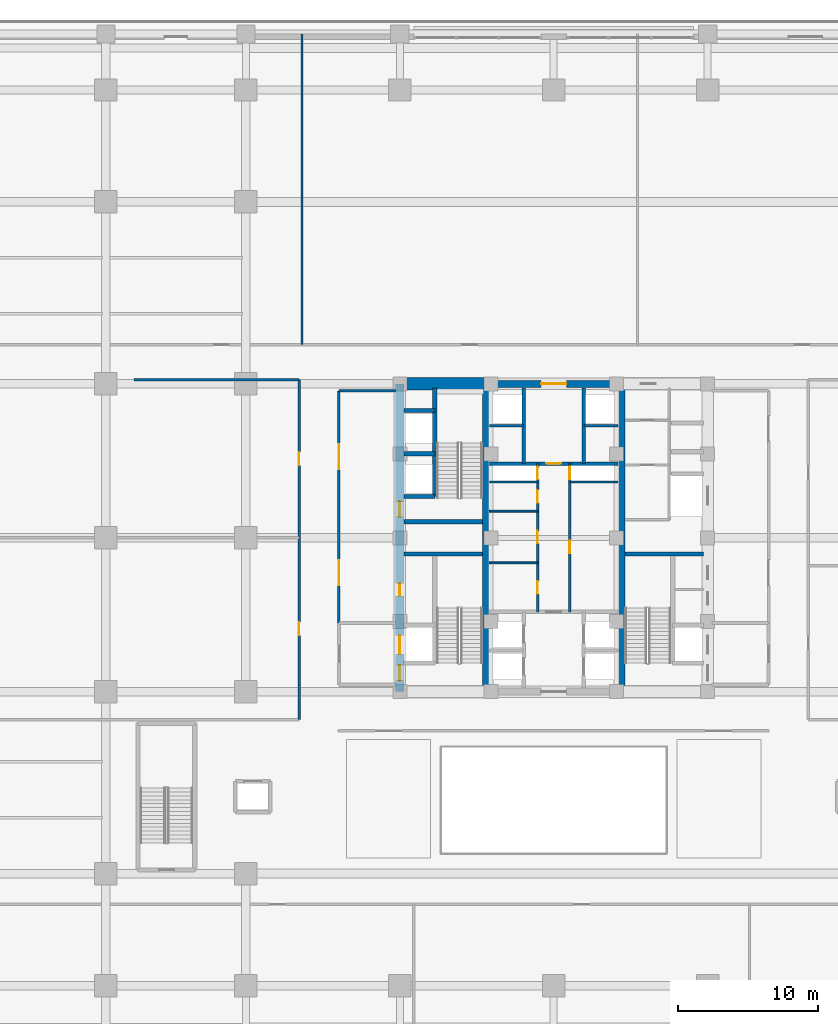
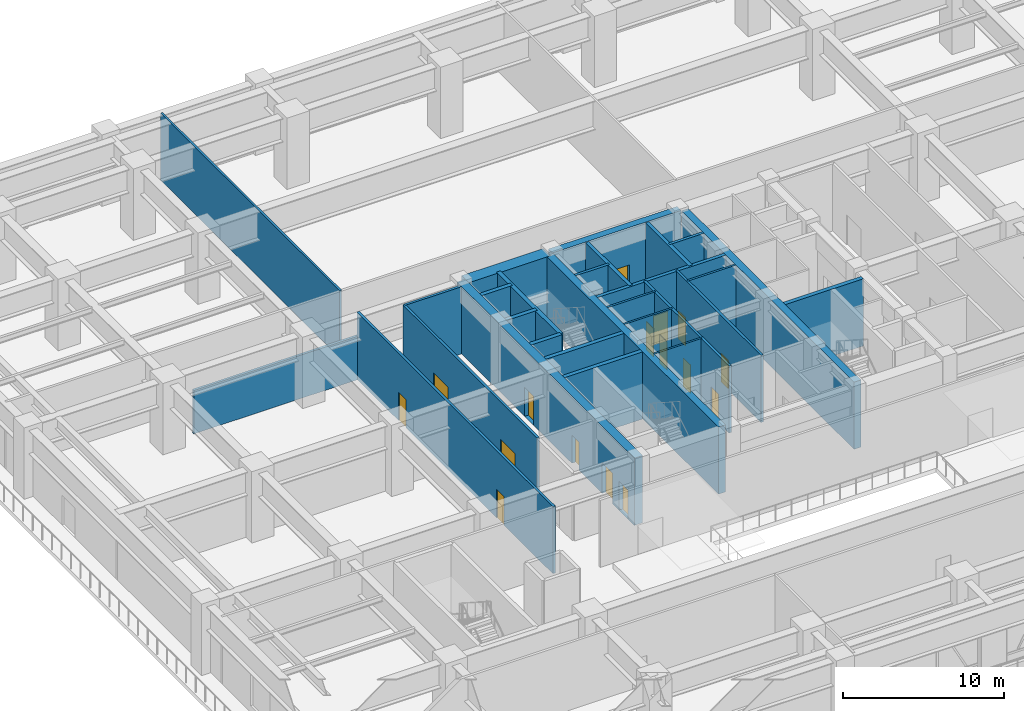
# One storey, part 17 of 28: 28 walls, 16 doors, 16 openings.
"""IFC4 building model written with IfcOpenShell, lengths in metres."""

import ifcopenshell
import ifcopenshell.guid

model = None  # the IFC model being written
_history = None  # IfcOwnerHistory: only IFC2X3 demands one
_inside = {}  # id of a spatial element -> (the spatial element, [elements in it])
_under = {}  # id of a project, library or spatial element -> (it, [spatial elements below it])
_declared = {}  # id of a project -> (the project, [libraries it declares])
_typed = {}  # id of a type object -> (the type object, [elements of that type])
_made_of = {}  # id of a material, layer set ... -> (it, [elements and type objects made of it])


def new_model(schema):
    """Start an empty IFC model of exactly this schema.

    Asked for "IFC4X3", IfcOpenShell would pick the latest addendum, in which some entities
    have other attributes; the version numbers below select the first issue.
    IFC2X3 requires an IfcOwnerHistory on every rooted entity: one is made here for all.
    """
    global model, _history
    if schema == "IFC4X3":
        model = ifcopenshell.file(schema_version=(4, 3, 0, 0))
    else:
        model = ifcopenshell.file(schema=schema)
    _inside.clear()
    _under.clear()
    _declared.clear()
    _typed.clear()
    _made_of.clear()
    _history = None
    if model.schema == "IFC2X3":
        org = make("IfcOrganization", Name="unknown")
        user = make(
            "IfcPersonAndOrganization",
            ThePerson=make("IfcPerson", FamilyName="unknown"),
            TheOrganization=org,
        )
        app = make(
            "IfcApplication",
            ApplicationDeveloper=org,
            Version="unknown",
            ApplicationFullName="unknown",
            ApplicationIdentifier="unknown",
        )
        _history = make(
            "IfcOwnerHistory",
            OwningUser=user,
            OwningApplication=app,
            ChangeAction="ADDED",
            CreationDate=0,
        )
    return model


def make(cls, **values):
    """One entity of the class cls with the attributes given. An attribute that is None is left unset."""
    return model.create_entity(
        cls, **{name: value for name, value in values.items() if value is not None}
    )


def rooted(cls, **values):
    """An entity with a GlobalId (a new one), such as an element, a storey or a relation."""
    return make(cls, GlobalId=ifcopenshell.guid.new(), OwnerHistory=_history, **values)


def si_unit(unit_type, name, prefix=None):
    """IfcSIUnit, for example si_unit("LENGTHUNIT", "METRE", prefix="MILLI")."""
    return make("IfcSIUnit", UnitType=unit_type, Prefix=prefix, Name=name)


def assignment(units):
    """IfcUnitAssignment: the units of a project."""
    return None if units is None else make("IfcUnitAssignment", Units=units)


def point(xyz):
    """IfcCartesianPoint."""
    return None if xyz is None else make("IfcCartesianPoint", Coordinates=xyz)


def direction(xyz):
    """IfcDirection."""
    return None if xyz is None else make("IfcDirection", DirectionRatios=xyz)


def frame(location, z_axis=None, x_axis=None):
    """IfcAxis2Placement3D, a coordinate frame: its origin and axes. An axis left out is left unset."""
    return make(
        "IfcAxis2Placement3D",
        Location=point(location),
        Axis=direction(z_axis),
        RefDirection=direction(x_axis),
    )


def frame_2d(location, x_axis=None):
    """IfcAxis2Placement2D, a coordinate frame in the plane: its origin and x axis."""
    return make(
        "IfcAxis2Placement2D", Location=point(location), RefDirection=direction(x_axis)
    )


def origin():
    """The frame at (0, 0, 0) with its axes left unset."""
    return frame((0.0, 0.0, 0.0))


def place(relative_to, where):
    """IfcLocalPlacement: puts the frame where relative to a parent placement (None: the world)."""
    return make(
        "IfcLocalPlacement", PlacementRelTo=relative_to, RelativePlacement=where
    )


def context(
    kind, dimensions, precision=None, world=None, true_north=None, identifier=None
):
    """IfcGeometricRepresentationContext, for example the 3D "Model" context."""
    return make(
        "IfcGeometricRepresentationContext",
        ContextIdentifier=identifier,
        ContextType=kind,
        CoordinateSpaceDimension=dimensions,
        Precision=precision,
        WorldCoordinateSystem=world,
        TrueNorth=true_north,
    )


def subcontext(parent, identifier, kind, view, scale=None):
    """IfcGeometricRepresentationSubContext, for example "Body" below "Model"."""
    return make(
        "IfcGeometricRepresentationSubContext",
        ContextIdentifier=identifier,
        ContextType=kind,
        ParentContext=parent,
        TargetScale=scale,
        TargetView=view,
    )


def project(units=None, contexts=None):
    """IfcProject with its units and contexts."""
    return rooted(
        "IfcProject",
        Name="project",
        RepresentationContexts=contexts,
        UnitsInContext=assignment(units),
    )


def spatial(cls, under=None, at=None, **own):
    """A site, building, storey or space (cls), placed at a placement, below another one or the project."""
    s = rooted(cls, ObjectPlacement=at, **own)
    if under is not None:
        _under.setdefault(under.id(), (under, []))[1].append(s)
    return s


def profile(cls, at=None, kind="AREA", **sizes):
    """A parametric profile (cls). Its sizes go by their IFC names, for example OverallWidth=200.0."""
    return make(cls, ProfileType=kind, Position=at, **sizes)


def rectangle(**sizes):
    """IfcRectangleProfileDef."""
    return profile("IfcRectangleProfileDef", **sizes)


def extrude(swept, where, along, depth):
    """IfcExtrudedAreaSolid: the profile swept, set in the frame where, extruded along a direction by depth."""
    return make(
        "IfcExtrudedAreaSolid",
        SweptArea=swept,
        Position=where,
        ExtrudedDirection=direction(along),
        Depth=depth,
    )


def shape(context_of_items, identifier, shape_type, items):
    """IfcShapeRepresentation: the items that make up one representation, for example the "Body"."""
    return make(
        "IfcShapeRepresentation",
        ContextOfItems=context_of_items,
        RepresentationIdentifier=identifier,
        RepresentationType=shape_type,
        Items=items,
    )


def source(mapping_origin, context_of_items, identifier, shape_type, items):
    """IfcRepresentationMap: a shape defined once, which mapped items show again and again."""
    return make(
        "IfcRepresentationMap",
        MappingOrigin=mapping_origin,
        MappedRepresentation=shape(context_of_items, identifier, shape_type, items),
    )


def transform(
    local_origin,
    x_axis=None,
    y_axis=None,
    z_axis=None,
    scale=None,
    scale2=None,
    scale3=None,
    uniform=True,
):
    """IfcCartesianTransformationOperator3D, or its non-uniform kind. x_axis, y_axis, z_axis: its Axis1, 2, 3."""
    if uniform:
        return make(
            "IfcCartesianTransformationOperator3D",
            Axis1=direction(x_axis),
            Axis2=direction(y_axis),
            LocalOrigin=point(local_origin),
            Scale=scale,
            Axis3=direction(z_axis),
        )
    return make(
        "IfcCartesianTransformationOperator3DnonUniform",
        Axis1=direction(x_axis),
        Axis2=direction(y_axis),
        LocalOrigin=point(local_origin),
        Scale=scale,
        Axis3=direction(z_axis),
        Scale2=scale2,
        Scale3=scale3,
    )


def mapped(mapping_source, mapping_target):
    """IfcMappedItem: shows the shape of a source again, moved by a transform."""
    return make(
        "IfcMappedItem", MappingSource=mapping_source, MappingTarget=mapping_target
    )


def material(Name=None, Category=None):
    """IfcMaterial."""
    return make("IfcMaterial", Name=Name, Category=Category)


def layer(
    of_material, thickness, ventilated=None, Name=None, Category=None, Priority=None
):
    """IfcMaterialLayer: one layer of a wall or slab, of a material (None: an air gap)."""
    return make(
        "IfcMaterialLayer",
        Material=of_material,
        LayerThickness=thickness,
        IsVentilated=ventilated,
        Name=Name,
        Category=Category,
        Priority=Priority,
    )


def layer_set(layers, Name=None):
    """IfcMaterialLayerSet."""
    return make("IfcMaterialLayerSet", MaterialLayers=layers, LayerSetName=Name)


def made_of(thing, what):
    """Note that an element or type object is made of a material, layer set ...; save() writes the relation."""
    if what is not None:
        _made_of.setdefault(what.id(), (what, []))[1].append(thing)
    return thing


def type_object(cls, material=None, **own):
    """A type object (cls), such as IfcWallType, which elements share."""
    return made_of(rooted(cls, **own), material)


def element(
    cls,
    number,
    at=None,
    inside=None,
    cuts=None,
    type_object=None,
    material=None,
    context=None,
    identifier="Body",
    shape_type=None,
    held_by="IfcProductDefinitionShape",
    body=None,
    shapes=None,
    **own,
):
    """One element of the class cls, such as IfcWall. Its Tag is "e" and its number.

    at: its placement. inside: the storey or other place that contains it. cuts: it is an
    opening in that element (IfcRelVoidsElement). A single representation is given by context,
    identifier, shape_type and body (its items); several are given by shapes. held_by: the class
    of the entity that holds the representations. save() writes the other relations.
    """
    e = rooted(cls, Tag="e%d" % number, ObjectPlacement=at, **own)
    if body is not None:
        shapes = [shape(context, identifier, shape_type, body)]
    if shapes is not None:
        e.Representation = make(held_by, Representations=shapes)
    if inside is not None:
        _inside.setdefault(inside.id(), (inside, []))[1].append(e)
    if cuts is not None:
        rooted(
            "IfcRelVoidsElement", RelatingBuildingElement=cuts, RelatedOpeningElement=e
        )
    if type_object is not None:
        _typed.setdefault(type_object.id(), (type_object, []))[1].append(e)
    return made_of(e, material)


def fill(opening, filler):
    """IfcRelFillsElement: the door or window that sits in an opening."""
    return rooted(
        "IfcRelFillsElement",
        RelatingOpeningElement=opening,
        RelatedBuildingElement=filler,
    )


def aggregate(whole, parts):
    """IfcRelAggregates: a whole, such as a stair, and the parts it consists of."""
    return rooted("IfcRelAggregates", RelatingObject=whole, RelatedObjects=parts)


def save(model, path):
    """Write the relations noted so far, then the file.

    IfcRelAggregates (storeys below a building ...), IfcRelContainedInSpatialStructure (elements
    in a storey), IfcRelDefinesByType, IfcRelAssociatesMaterial and IfcRelDeclares: one each for
    every whole, place, type object, material and project.
    """
    for whole, parts in _under.values():
        aggregate(whole, parts)
    for where, things in _inside.values():
        rooted(
            "IfcRelContainedInSpatialStructure",
            RelatedElements=things,
            RelatingStructure=where,
        )
    for kind, things in _typed.values():
        rooted("IfcRelDefinesByType", RelatedObjects=things, RelatingType=kind)
    for what, things in _made_of.values():
        rooted("IfcRelAssociatesMaterial", RelatedObjects=things, RelatingMaterial=what)
    for by, libraries in _declared.values():
        rooted("IfcRelDeclares", RelatingContext=by, RelatedDefinitions=libraries)
    model.write(path)


model = new_model("IFC4")

# Units and contexts
model_context = context("Model", 3, precision=1e-05, world=origin(), true_north=direction((0.0, 1.0)))
body_context = subcontext(model_context, "Body", "Model", "MODEL_VIEW")
ifc_project = project(units=[si_unit("LENGTHUNIT", "METRE"), si_unit("AREAUNIT", "SQUARE_METRE"), si_unit("VOLUMEUNIT", "CUBIC_METRE"), si_unit("PLANEANGLEUNIT", "RADIAN"), si_unit("MASSUNIT", "GRAM", prefix="KILO")], contexts=[model_context])

# Site, building, storey
site_placement = place(None, origin())
site = spatial("IfcSite", under=ifc_project, at=site_placement, CompositionType="ELEMENT")
building_placement = place(site_placement, origin())
building = spatial("IfcBuilding", under=site, at=building_placement, Name="Khorayat Bourse Tower", CompositionType="ELEMENT")
storey_placement = place(building_placement, frame((0.0, 0.0, 12.0)))
storey = spatial("IfcBuildingStorey", under=building, at=storey_placement, Name="L02", CompositionType="ELEMENT", Elevation=12.0)

# Wall, openings, doors
ifc_material_1 = material(Name="Concrete C60/75", Category="concrete")
ifc_layer_1 = layer(ifc_material_1, 0.60009765625)
ifc_layer_set_1 = layer_set([ifc_layer_1], Name="Concrete C60/75")
wall_type_1 = type_object("IfcWallType", Name="WAL-CORE-600", PredefinedType="SHEAR", material=ifc_layer_set_1)
shared_shape_1 = source(origin(), body_context, "Body", "SweptSolid", [
    extrude(rectangle(XDim=22.0, YDim=0.60009765625, at=frame_2d((11.0, 0.0))), origin(), (0.0, 0.0, 1.0), 5.080078125),
])
wall_1_placement = place(storey_placement, frame((-11.0, -11.0, 0.0), z_axis=(0.0, 0.0, 1.0), x_axis=(0.0, 1.0, 0.0)))
wall_1 = element("IfcWall", 1, at=wall_1_placement, inside=storey, type_object=wall_type_1, Name="L02 Core Shear Wall CORE-W", PredefinedType="SHEAR", context=body_context, shape_type="MappedRepresentation", body=[
    mapped(shared_shape_1, transform((0.0, 0.0, 0.0), scale=1.0)),
])
shared_shape_2 = source(origin(), body_context, "Body", "SweptSolid", [
    extrude(rectangle(XDim=1.10009765625, YDim=2.199951171875, at=frame_2d((0.550048828125, 1.10009765625))), frame((0.0, 0.31005859375, 0.0), z_axis=(0.0, -1.0, 0.0), x_axis=(1.0, 0.0, 0.0)), (0.0, 0.0, 1.0), 0.6201171875),
])
opening_1_placement = place(wall_1_placement, frame((0.800048828125, 0.0, 0.0)))
opening_1 = element("IfcOpeningElement", 2, at=opening_1_placement, cuts=wall_1, Name="Opening DI-01", PredefinedType="OPENING", context=body_context, shape_type="MappedRepresentation", body=[
    mapped(shared_shape_2, transform((0.0, 0.0, 0.0), scale=1.0)),
])
opening_2_placement = place(wall_1_placement, frame((12.5, 0.0, 0.0)))
opening_2 = element("IfcOpeningElement", 3, at=opening_2_placement, cuts=wall_1, Name="Opening DI-01", PredefinedType="OPENING", context=body_context, shape_type="MappedRepresentation", body=[
    mapped(shared_shape_2, transform((0.0, 0.0, 0.0), scale=1.0)),
])
shared_shape_3 = source(origin(), body_context, "Body", "SweptSolid", [
    extrude(rectangle(XDim=0.89990234375, YDim=2.14990234375, at=frame_2d((0.449951171875, 1.074951171875))), frame((0.0, 0.31005859375, 0.0), z_axis=(0.0, -1.0, 0.0), x_axis=(1.0, 0.0, 0.0)), (0.0, 0.0, 1.0), 0.6201171875),
])
opening_3_placement = place(wall_1_placement, frame((6.85009765625, 0.0, 0.0)))
opening_3 = element("IfcOpeningElement", 4, at=opening_3_placement, cuts=wall_1, Name="Opening DI-06", PredefinedType="OPENING", context=body_context, shape_type="MappedRepresentation", body=[
    mapped(shared_shape_3, transform((0.0, 0.0, 0.0), scale=1.0)),
])
shared_shape_4 = source(origin(), body_context, "Body", "SweptSolid", [
    extrude(rectangle(XDim=1.300048828125, YDim=2.300048828125, at=frame_2d((0.64990234375, 1.14990234375))), frame((0.0, 0.31005859375, 0.0), z_axis=(0.0, -1.0, 0.0), x_axis=(1.0, 0.0, 0.0)), (0.0, 0.0, 1.0), 0.6201171875),
])
opening_4_placement = place(wall_1_placement, frame((2.699951171875, 0.0, 0.0)))
opening_4 = element("IfcOpeningElement", 5, at=opening_4_placement, cuts=wall_1, Name="Opening LD-02", PredefinedType="OPENING", context=body_context, shape_type="MappedRepresentation", body=[
    mapped(shared_shape_4, transform((0.0, 0.0, 0.0), scale=1.0)),
])
ifc_material_2 = material(Name="Fire-rated steel acoustic leaf", Category="steel")
door_type_1 = type_object("IfcDoorType", Name="DR-INT-STAIR-1100", OperationType="NOTDEFINED", PredefinedType="DOOR", material=ifc_material_2)
shared_shape_5 = source(origin(), body_context, "Body", "SweptSolid", [
    extrude(rectangle(XDim=1.10009765625, YDim=2.199951171875, at=frame_2d((0.550048828125, 1.10009765625))), frame((0.0, 0.02490234375, 0.0), z_axis=(0.0, -1.0, 0.0), x_axis=(1.0, 0.0, 0.0)), (0.0, 0.0, 1.0), 0.050048828125),
])
door_1_placement = place(opening_1_placement, origin())
door_1 = element("IfcDoor", 6, at=door_1_placement, inside=storey, type_object=door_type_1, Name="L02 Exit Stair 1 Door", OperationType="SINGLE_SWING_RIGHT", OverallHeight=2.199951171875, OverallWidth=1.10009765625, PredefinedType="DOOR", context=body_context, shape_type="MappedRepresentation", body=[
    mapped(shared_shape_5, transform((0.0, 0.0, 0.0), scale=1.0)),
])
fill(opening_1, door_1)
door_2_placement = place(opening_2_placement, origin())
door_2 = element("IfcDoor", 7, at=door_2_placement, inside=storey, type_object=door_type_1, Name="L02 Exit Stair 2 Door", OperationType="SINGLE_SWING_RIGHT", OverallHeight=2.199951171875, OverallWidth=1.10009765625, PredefinedType="DOOR", context=body_context, shape_type="MappedRepresentation", body=[
    mapped(shared_shape_5, transform((0.0, 0.0, 0.0), scale=1.0)),
])
fill(opening_2, door_2)
ifc_material_3 = material(Name="Moisture-resistant laminate washroom door")
door_type_2 = type_object("IfcDoorType", Name="DR-INT-WC-900", OperationType="NOTDEFINED", PredefinedType="DOOR", material=ifc_material_3)
shared_shape_6 = source(origin(), body_context, "Body", "SweptSolid", [
    extrude(rectangle(XDim=0.89990234375, YDim=2.14990234375, at=frame_2d((0.449951171875, 1.074951171875))), frame((0.0, 0.02490234375, 0.0), z_axis=(0.0, -1.0, 0.0), x_axis=(1.0, 0.0, 0.0)), (0.0, 0.0, 1.0), 0.050048828125),
])
door_3_placement = place(opening_3_placement, origin())
door_3 = element("IfcDoor", 8, at=door_3_placement, inside=storey, type_object=door_type_2, Name="L02 Electrical Switch Plant Room Door", OperationType="SINGLE_SWING_RIGHT", OverallHeight=2.14990234375, OverallWidth=0.89990234375, PredefinedType="DOOR", context=body_context, shape_type="MappedRepresentation", body=[
    mapped(shared_shape_6, transform((0.0, 0.0, 0.0), scale=1.0)),
])
fill(opening_3, door_3)
ifc_material_4 = material(Name="Fire-rated stainless-steel sliding landing door", Category="steel")
door_type_3 = type_object("IfcDoorType", Name="DR-LIFT-FF-1300", OperationType="NOTDEFINED", PredefinedType="DOOR", material=ifc_material_4)
shared_shape_7 = source(origin(), body_context, "Body", "SweptSolid", [
    extrude(rectangle(XDim=1.300048828125, YDim=2.300048828125, at=frame_2d((0.64990234375, 1.14990234375))), frame((0.0, 0.02490234375, 0.0), z_axis=(0.0, -1.0, 0.0), x_axis=(1.0, 0.0, 0.0)), (0.0, 0.0, 1.0), 0.050048828125),
])
door_4_placement = place(opening_4_placement, origin())
door_4 = element("IfcDoor", 9, at=door_4_placement, inside=storey, type_object=door_type_3, Name="L02 Lift FFL-01 Sliding Landing Door", OperationType="SLIDING_TO_LEFT", OverallHeight=2.300048828125, OverallWidth=1.300048828125, PredefinedType="DOOR", context=body_context, shape_type="MappedRepresentation", body=[
    mapped(shared_shape_7, transform((0.0, 0.0, 0.0), scale=1.0)),
])
fill(opening_4, door_4)

# Walls
ifc_material_5 = material(Name="Concrete C52/65", Category="concrete")
ifc_layer_2 = layer(ifc_material_5, 0.5)
ifc_layer_set_2 = layer_set([ifc_layer_2], Name="Concrete C52/65")
wall_type_2 = type_object("IfcWallType", Name="WAL-CORE-500", PredefinedType="SHEAR", material=ifc_layer_set_2)
shared_shape_8 = source(origin(), body_context, "Body", "SweptSolid", [
    extrude(rectangle(XDim=21.39990234375, YDim=0.5, at=frame_2d((10.699951171875, 0.0))), origin(), (0.0, 0.0, 1.0), 5.080078125),
])
for number, where, z_axis, x_axis, name in (
    (10, (-4.85009765625, -10.699951171875, 0.0), (0.0, 0.0, 1.0), (0.0, 1.0, 0.0), "L02 Core Shear Wall PIER-W"),
    (11, (4.85009765625, -10.699951171875, 0.0), (0.0, 0.0, 1.0), (0.0, 1.0, 0.0), "L02 Core Shear Wall PIER-E"),
):
    element("IfcWall", number, at=place(storey_placement, frame(where, z_axis=z_axis, x_axis=x_axis)), inside=storey, type_object=wall_type_2, Name=name, PredefinedType="SHEAR", context=body_context, shape_type="MappedRepresentation", body=[
        mapped(shared_shape_8, transform((0.0, 0.0, 0.0), scale=1.0)),
    ])
ifc_material_6 = material(Name="Concrete C72/90", Category="concrete")
ifc_layer_3 = layer(ifc_material_6, 0.89990234375)
ifc_layer_set_3 = layer_set([ifc_layer_3], Name="Concrete C72/90")
wall_type_3 = type_object("IfcWallType", Name="WAL-CORE-900", PredefinedType="SHEAR", material=ifc_layer_set_3)
shared_shape_9 = source(origin(), body_context, "Body", "SweptSolid", [
    extrude(rectangle(XDim=5.849853515625, YDim=0.89990234375, at=frame_2d((2.9248046875, 0.0))), origin(), (0.0, 0.0, 1.0), 5.080078125),
])
wall_2_placement = place(storey_placement, frame((-10.699951171875, 11.0, 0.0), z_axis=(0.0, 0.0, 1.0), x_axis=(1.0, 0.0, 0.0)))
element("IfcWall", 12, at=wall_2_placement, inside=storey, type_object=wall_type_3, Name="L02 Core Shear Wall PIER-WN", PredefinedType="SHEAR", context=body_context, shape_type="MappedRepresentation", body=[
    mapped(shared_shape_9, transform((0.0, 0.0, 0.0), scale=1.0)),
])
ifc_material_7 = material(Name="Concrete C50/60", Category="concrete")
ifc_layer_4 = layer(ifc_material_7, 0.300048828125)
ifc_layer_set_4 = layer_set([ifc_layer_4], Name="Concrete C50/60")
wall_type_4 = type_object("IfcWallType", Name="WAL-SHAFT-300", PredefinedType="SHEAR", material=ifc_layer_set_4)
shared_shape_10 = source(origin(), body_context, "Body", "SweptSolid", [
    extrude(rectangle(XDim=5.599853515625, YDim=0.300048828125, at=frame_2d((2.7998046875, 0.0))), origin(), (0.0, 0.0, 1.0), 5.080078125),
])
for number, where, z_axis, x_axis, name in (
    (13, (-10.699951171875, -1.14990234375, 0.0), (0.0, 0.0, 1.0), (1.0, 0.0, 0.0), "L02 Core Shear Wall ST1-DIV"),
    (14, (-10.699951171875, 1.14990234375, 0.0), (0.0, 0.0, 1.0), (1.0, 0.0, 0.0), "L02 Core Shear Wall ST2-DIV"),
    (15, (5.10009765625, -1.14990234375, 0.0), (0.0, 0.0, 1.0), (1.0, 0.0, 0.0), "L02 Core Shear Wall ST3-DIV"),
):
    element("IfcWall", number, at=place(storey_placement, frame(where, z_axis=z_axis, x_axis=x_axis)), inside=storey, type_object=wall_type_4, Name=name, PredefinedType="SHEAR", context=body_context, shape_type="MappedRepresentation", body=[
        mapped(shared_shape_10, transform((0.0, 0.0, 0.0), scale=1.0)),
    ])

# Wall, opening, door
shared_shape_11 = source(origin(), body_context, "Body", "SweptSolid", [
    extrude(rectangle(XDim=9.2001953125, YDim=0.5, at=frame_2d((4.60009765625, 0.0))), origin(), (0.0, 0.0, 1.0), 5.080078125),
])
wall_3_placement = place(storey_placement, frame((-4.60009765625, 11.0, 0.0), z_axis=(0.0, 0.0, 1.0), x_axis=(1.0, 0.0, 0.0)))
wall_3 = element("IfcWall", 16, at=wall_3_placement, inside=storey, type_object=wall_type_2, Name="L02 Core Shear Wall CORE-N", PredefinedType="SHEAR", context=body_context, shape_type="MappedRepresentation", body=[
    mapped(shared_shape_11, transform((0.0, 0.0, 0.0), scale=1.0)),
])
shared_shape_12 = source(origin(), body_context, "Body", "SweptSolid", [
    extrude(rectangle(XDim=1.800048828125, YDim=2.25, at=frame_2d((0.89990234375, 1.125))), frame((0.0, 0.260009765625, 0.0), z_axis=(0.0, -1.0, 0.0), x_axis=(1.0, 0.0, 0.0)), (0.0, 0.0, 1.0), 0.52001953125),
])
opening_5_placement = place(wall_3_placement, frame((3.699951171875, 0.0, 0.0)))
opening_5 = element("IfcOpeningElement", 17, at=opening_5_placement, cuts=wall_3, Name="Opening DI-03", PredefinedType="OPENING", context=body_context, shape_type="MappedRepresentation", body=[
    mapped(shared_shape_12, transform((0.0, 0.0, 0.0), scale=1.0)),
])
ifc_material_8 = material(Name="Fire-rated hardwood vision-panel double leaf", Category="wood")
door_type_4 = type_object("IfcDoorType", Name="DR-INT-CORR-1800", OperationType="NOTDEFINED", PredefinedType="DOOR", material=ifc_material_8)
shared_shape_13 = source(origin(), body_context, "Body", "SweptSolid", [
    extrude(rectangle(XDim=1.800048828125, YDim=2.25, at=frame_2d((0.89990234375, 1.125))), frame((0.0, 0.02490234375, 0.0), z_axis=(0.0, -1.0, 0.0), x_axis=(1.0, 0.0, 0.0)), (0.0, 0.0, 1.0), 0.050048828125),
])
door_5_placement = place(opening_5_placement, origin())
door_5 = element("IfcDoor", 18, at=door_5_placement, inside=storey, type_object=door_type_4, Name="L02 Mid-Rise Lift Lobby Door", OperationType="SINGLE_SWING_RIGHT", OverallHeight=2.25, OverallWidth=1.800048828125, PredefinedType="DOOR", context=body_context, shape_type="MappedRepresentation", body=[
    mapped(shared_shape_13, transform((0.0, 0.0, 0.0), scale=1.0)),
])
fill(opening_5, door_5)

# Walls
shared_shape_14 = source(origin(), body_context, "Body", "SweptSolid", [
    extrude(rectangle(XDim=2.199951171875, YDim=0.300048828125, at=frame_2d((1.10009765625, 0.0))), origin(), (0.0, 0.0, 1.0), 5.080078125),
])
for number, where, z_axis, x_axis, name in (
    (19, (-10.699951171875, 2.949951171875, 0.0), (0.0, 0.0, 1.0), (1.0, 0.0, 0.0), "L02 Partition WAL-L02-WPIER-H1S"),
    (20, (-10.699951171875, 6.0, 0.0), (0.0, 0.0, 1.0), (1.0, 0.0, 0.0), "L02 Partition WAL-L02-WPIER-H12"),
    (21, (-10.699951171875, 9.10009765625, 0.0), (0.0, 0.0, 1.0), (1.0, 0.0, 0.0), "L02 Partition WAL-L02-WPIER-H2N"),
):
    element("IfcWall", number, at=place(storey_placement, frame(where, z_axis=z_axis, x_axis=x_axis)), inside=storey, type_object=wall_type_4, Name=name, PredefinedType="SHEAR", context=body_context, shape_type="MappedRepresentation", body=[
        mapped(shared_shape_14, transform((0.0, 0.0, 0.0), scale=1.0)),
    ])
shared_shape_15 = source(origin(), body_context, "Body", "SweptSolid", [
    extrude(rectangle(XDim=7.75, YDim=0.300048828125, at=frame_2d((3.875, 0.0))), origin(), (0.0, 0.0, 1.0), 5.080078125),
])
wall_4_placement = place(storey_placement, frame((-8.5, 2.949951171875, 0.0), z_axis=(0.0, 0.0, 1.0), x_axis=(0.0, 1.0, 0.0)))
element("IfcWall", 22, at=wall_4_placement, inside=storey, type_object=wall_type_4, Name="L02 Partition WAL-L02-WPIER-ST2S", PredefinedType="SHEAR", context=body_context, shape_type="MappedRepresentation", body=[
    mapped(shared_shape_15, transform((0.0, 0.0, 0.0), scale=1.0)),
])
ifc_material_9 = material(Name="Gypsum plasterboard acoustic stud wall")
ifc_layer_5 = layer(ifc_material_9, 0.179931640625)
ifc_layer_set_5 = layer_set([ifc_layer_5], Name="Gypsum plasterboard acoustic stud wall")
wall_type_5 = type_object("IfcWallType", Name="WAL-PART-CORR-180", PredefinedType="PARTITIONING", material=ifc_layer_set_5)
shared_shape_16 = source(origin(), body_context, "Body", "SweptSolid", [
    extrude(rectangle(XDim=4.050048828125, YDim=0.179931640625, at=frame_2d((2.02490234375, 0.0))), origin(), (0.0, 0.0, 1.0), 5.080078125),
])
wall_5_placement = place(storey_placement, frame((-15.35009765625, 10.5, 0.0), z_axis=(0.0, 0.0, 1.0), x_axis=(1.0, 0.0, 0.0)))
element("IfcWall", 23, at=wall_5_placement, inside=storey, type_object=wall_type_5, Name="L02 Partition WAL-L02-WLOB-N", PredefinedType="PARTITIONING", context=body_context, shape_type="MappedRepresentation", body=[
    mapped(shared_shape_16, transform((0.0, 0.0, 0.0), scale=1.0)),
])

# Wall, openings, doors
shared_shape_17 = source(origin(), body_context, "Body", "SweptSolid", [
    extrude(rectangle(XDim=16.60009765625, YDim=0.179931640625, at=frame_2d((8.300048828125, 0.0))), origin(), (0.0, 0.0, 1.0), 5.080078125),
])
wall_6_placement = place(storey_placement, frame((-15.35009765625, -6.10009765625, 0.0), z_axis=(0.0, 0.0, 1.0), x_axis=(0.0, 1.0, 0.0)))
wall_6 = element("IfcWall", 24, at=wall_6_placement, inside=storey, type_object=wall_type_5, Name="L02 Partition WAL-L02-WLOB-W", PredefinedType="PARTITIONING", context=body_context, shape_type="MappedRepresentation", body=[
    mapped(shared_shape_17, transform((0.0, 0.0, 0.0), scale=1.0)),
])
shared_shape_18 = source(origin(), body_context, "Body", "SweptSolid", [
    extrude(rectangle(XDim=1.800048828125, YDim=2.25, at=frame_2d((0.89990234375, 1.125))), frame((0.0, 0.099853515625, 0.0), z_axis=(0.0, -1.0, 0.0), x_axis=(1.0, 0.0, 0.0)), (0.0, 0.0, 1.0), 0.199951171875),
])
opening_6_placement = place(wall_6_placement, frame((2.699951171875, 0.0, 0.0)))
opening_6 = element("IfcOpeningElement", 25, at=opening_6_placement, cuts=wall_6, Name="Opening DI-03", PredefinedType="OPENING", context=body_context, shape_type="MappedRepresentation", body=[
    mapped(shared_shape_18, transform((0.0, 0.0, 0.0), scale=1.0)),
])
opening_7_placement = place(wall_6_placement, frame((11.0, 0.0, 0.0)))
opening_7 = element("IfcOpeningElement", 26, at=opening_7_placement, cuts=wall_6, Name="Opening DI-03", PredefinedType="OPENING", context=body_context, shape_type="MappedRepresentation", body=[
    mapped(shared_shape_18, transform((0.0, 0.0, 0.0), scale=1.0)),
])
door_6_placement = place(opening_6_placement, origin())
door_6 = element("IfcDoor", 27, at=door_6_placement, inside=storey, type_object=door_type_4, Name="L02 West Core Lobby South Door", OperationType="SINGLE_SWING_LEFT", OverallHeight=2.25, OverallWidth=1.800048828125, PredefinedType="DOOR", context=body_context, shape_type="MappedRepresentation", body=[
    mapped(shared_shape_13, transform((0.0, 0.0, 0.0), scale=1.0)),
])
fill(opening_6, door_6)
door_7_placement = place(opening_7_placement, origin())
door_7 = element("IfcDoor", 28, at=door_7_placement, inside=storey, type_object=door_type_4, Name="L02 West Core Lobby North Door", OperationType="SINGLE_SWING_RIGHT", OverallHeight=2.25, OverallWidth=1.800048828125, PredefinedType="DOOR", context=body_context, shape_type="MappedRepresentation", body=[
    mapped(shared_shape_13, transform((0.0, 0.0, 0.0), scale=1.0)),
])
fill(opening_7, door_7)

# Walls
ifc_material_10 = material(Name="Gypsum plasterboard twin-frame partition")
ifc_layer_6 = layer(ifc_material_10, 0.14990234375)
ifc_layer_set_6 = layer_set([ifc_layer_6], Name="Gypsum plasterboard twin-frame partition")
wall_type_6 = type_object("IfcWallType", Name="WAL-PART-SUITE-150", PredefinedType="PARTITIONING", material=ifc_layer_set_6)
shared_shape_19 = source(origin(), body_context, "Body", "SweptSolid", [
    extrude(rectangle(XDim=3.4501953125, YDim=0.14990234375, at=frame_2d((1.72509765625, 0.0))), origin(), (0.0, 0.0, 1.0), 5.080078125),
])
for number, where, z_axis, x_axis, name in (
    (29, (-4.60009765625, 4.0, 0.0), (0.0, 0.0, 1.0), (1.0, 0.0, 0.0), "L02 Partition WAL-L02-CRSW-S"),
    (30, (1.14990234375, 4.0, 0.0), (0.0, 0.0, 1.0), (1.0, 0.0, 0.0), "L02 Partition WAL-L02-CRSE-S"),
):
    element("IfcWall", number, at=place(storey_placement, frame(where, z_axis=z_axis, x_axis=x_axis)), inside=storey, type_object=wall_type_6, Name=name, PredefinedType="PARTITIONING", context=body_context, shape_type="MappedRepresentation", body=[
        mapped(shared_shape_19, transform((0.0, 0.0, 0.0), scale=1.0)),
    ])
shared_shape_20 = source(origin(), body_context, "Body", "SweptSolid", [
    extrude(rectangle(XDim=5.39990234375, YDim=0.25, at=frame_2d((2.699951171875, 0.0))), origin(), (0.0, 0.0, 1.0), 5.080078125),
])
for number, where, z_axis, x_axis, name in (
    (31, (-2.14990234375, 5.300048828125, 0.0), (0.0, 0.0, 1.0), (0.0, 1.0, 0.0), "L02 Partition WAL-L02-B2-W"),
    (32, (2.14990234375, 5.300048828125, 0.0), (0.0, 0.0, 1.0), (0.0, 1.0, 0.0), "L02 Partition WAL-L02-B2-E"),
):
    element("IfcWall", number, at=place(storey_placement, frame(where, z_axis=z_axis, x_axis=x_axis)), inside=storey, type_object=wall_type_4, Name=name, PredefinedType="SHEAR", context=body_context, shape_type="MappedRepresentation", body=[
        mapped(shared_shape_20, transform((0.0, 0.0, 0.0), scale=1.0)),
    ])
shared_shape_21 = source(origin(), body_context, "Body", "SweptSolid", [
    extrude(rectangle(XDim=2.4501953125, YDim=0.199951171875, at=frame_2d((1.22509765625, 0.0))), origin(), (0.0, 0.0, 1.0), 5.080078125),
])
for number, where, z_axis, x_axis, name in (
    (33, (-4.60009765625, 8.0, 0.0), (0.0, 0.0, 1.0), (1.0, 0.0, 0.0), "L02 Partition WAL-L02-B2-MW"),
    (34, (2.14990234375, 8.0, 0.0), (0.0, 0.0, 1.0), (1.0, 0.0, 0.0), "L02 Partition WAL-L02-B2-ME"),
):
    element("IfcWall", number, at=place(storey_placement, frame(where, z_axis=z_axis, x_axis=x_axis)), inside=storey, type_object=wall_type_4, Name=name, PredefinedType="SHEAR", context=body_context, shape_type="MappedRepresentation", body=[
        mapped(shared_shape_21, transform((0.0, 0.0, 0.0), scale=1.0)),
    ])

# Wall, opening, door
shared_shape_22 = source(origin(), body_context, "Body", "SweptSolid", [
    extrude(rectangle(XDim=9.2001953125, YDim=0.25, at=frame_2d((4.60009765625, 0.0))), origin(), (0.0, 0.0, 1.0), 5.080078125),
])
wall_7_placement = place(storey_placement, frame((-4.60009765625, 5.300048828125, 0.0), z_axis=(0.0, 0.0, 1.0), x_axis=(1.0, 0.0, 0.0)))
wall_7 = element("IfcWall", 35, at=wall_7_placement, inside=storey, type_object=wall_type_4, Name="L02 Partition WAL-L02-B2-S", PredefinedType="SHEAR", context=body_context, shape_type="MappedRepresentation", body=[
    mapped(shared_shape_22, transform((0.0, 0.0, 0.0), scale=1.0)),
])
shared_shape_23 = source(origin(), body_context, "Body", "SweptSolid", [
    extrude(rectangle(XDim=1.050048828125, YDim=2.199951171875, at=frame_2d((0.52490234375, 1.10009765625))), frame((0.0, 0.135009765625, 0.0), z_axis=(0.0, -1.0, 0.0), x_axis=(1.0, 0.0, 0.0)), (0.0, 0.0, 1.0), 0.27001953125),
])
opening_8_placement = place(wall_7_placement, frame((4.074951171875, 0.0, 0.0)))
opening_8 = element("IfcOpeningElement", 36, at=opening_8_placement, cuts=wall_7, Name="Opening DI-04", PredefinedType="OPENING", context=body_context, shape_type="MappedRepresentation", body=[
    mapped(shared_shape_23, transform((0.0, 0.0, 0.0), scale=1.0)),
])
ifc_material_11 = material(Name="Fire-rated oak veneer suite entrance door")
door_type_5 = type_object("IfcDoorType", Name="DR-INT-SUITE-1050", OperationType="NOTDEFINED", PredefinedType="DOOR", material=ifc_material_11)
shared_shape_24 = source(origin(), body_context, "Body", "SweptSolid", [
    extrude(rectangle(XDim=1.050048828125, YDim=2.199951171875, at=frame_2d((0.52490234375, 1.10009765625))), frame((0.0, 0.02490234375, 0.0), z_axis=(0.0, -1.0, 0.0), x_axis=(1.0, 0.0, 0.0)), (0.0, 0.0, 1.0), 0.050048828125),
])
door_8_placement = place(opening_8_placement, origin())
door_8 = element("IfcDoor", 37, at=door_8_placement, inside=storey, type_object=door_type_5, Name="L02 Core Spine North Door", OperationType="SINGLE_SWING_RIGHT", OverallHeight=2.199951171875, OverallWidth=1.050048828125, PredefinedType="DOOR", context=body_context, shape_type="MappedRepresentation", body=[
    mapped(shared_shape_24, transform((0.0, 0.0, 0.0), scale=1.0)),
])
fill(opening_8, door_8)

# Walls
ifc_material_12 = material(Name="Moisture-resistant masonry partition", Category="masonry")
ifc_layer_7 = layer(ifc_material_12, 0.139892578125)
ifc_layer_set_7 = layer_set([ifc_layer_7], Name="Moisture-resistant masonry partition")
wall_type_7 = type_object("IfcWallType", Name="WAL-PART-WET-140", PredefinedType="PARTITIONING", material=ifc_layer_set_7)
shared_shape_25 = source(origin(), body_context, "Body", "SweptSolid", [
    extrude(rectangle(XDim=3.4501953125, YDim=0.139892578125, at=frame_2d((1.72509765625, 0.0))), origin(), (0.0, 0.0, 1.0), 5.080078125),
])
for number, where, z_axis, x_axis, name in (
    (38, (-4.60009765625, -1.800048828125, 0.0), (0.0, 0.0, 1.0), (1.0, 0.0, 0.0), "L02 Partition WAL-L02-CMW-D1"),
    (39, (-4.60009765625, 1.89990234375, 0.0), (0.0, 0.0, 1.0), (1.0, 0.0, 0.0), "L02 Partition WAL-L02-CMW-D2"),
):
    element("IfcWall", number, at=place(storey_placement, frame(where, z_axis=z_axis, x_axis=x_axis)), inside=storey, type_object=wall_type_7, Name=name, PredefinedType="PARTITIONING", context=body_context, shape_type="MappedRepresentation", body=[
        mapped(shared_shape_25, transform((0.0, 0.0, 0.0), scale=1.0)),
    ])

# Wall, openings, doors
shared_shape_26 = source(origin(), body_context, "Body", "SweptSolid", [
    extrude(rectangle(XDim=10.60009765625, YDim=0.179931640625, at=frame_2d((5.300048828125, 0.0))), origin(), (0.0, 0.0, 1.0), 5.080078125),
])
wall_8_placement = place(storey_placement, frame((-1.14990234375, -5.300048828125, 0.0), z_axis=(0.0, 0.0, 1.0), x_axis=(0.0, 1.0, 0.0)))
wall_8 = element("IfcWall", 40, at=wall_8_placement, inside=storey, type_object=wall_type_5, Name="L02 Partition WAL-L02-CMW-L", PredefinedType="PARTITIONING", context=body_context, shape_type="MappedRepresentation", body=[
    mapped(shared_shape_26, transform((0.0, 0.0, 0.0), scale=1.0)),
])
shared_shape_27 = source(origin(), body_context, "Body", "SweptSolid", [
    extrude(rectangle(XDim=0.89990234375, YDim=2.14990234375, at=frame_2d((0.449951171875, 1.074951171875))), frame((0.0, 0.099853515625, 0.0), z_axis=(0.0, -1.0, 0.0), x_axis=(1.0, 0.0, 0.0)), (0.0, 0.0, 1.0), 0.199951171875),
])
opening_9_placement = place(wall_8_placement, frame((1.300048828125, 0.0, 0.0)))
opening_9 = element("IfcOpeningElement", 41, at=opening_9_placement, cuts=wall_8, Name="Opening DI-06", PredefinedType="OPENING", context=body_context, shape_type="MappedRepresentation", body=[
    mapped(shared_shape_27, transform((0.0, 0.0, 0.0), scale=1.0)),
])
opening_10_placement = place(wall_8_placement, frame((4.89990234375, 0.0, 0.0)))
opening_10 = element("IfcOpeningElement", 42, at=opening_10_placement, cuts=wall_8, Name="Opening DI-06", PredefinedType="OPENING", context=body_context, shape_type="MappedRepresentation", body=[
    mapped(shared_shape_27, transform((0.0, 0.0, 0.0), scale=1.0)),
])
opening_11_placement = place(wall_8_placement, frame((7.800048828125, 0.0, 0.0)))
opening_11 = element("IfcOpeningElement", 43, at=opening_11_placement, cuts=wall_8, Name="Opening DI-06", PredefinedType="OPENING", context=body_context, shape_type="MappedRepresentation", body=[
    mapped(shared_shape_27, transform((0.0, 0.0, 0.0), scale=1.0)),
])
opening_12_placement = place(wall_8_placement, frame((9.47509765625, 0.0, 0.0)))
opening_12 = element("IfcOpeningElement", 44, at=opening_12_placement, cuts=wall_8, Name="Opening DI-06", PredefinedType="OPENING", context=body_context, shape_type="MappedRepresentation", body=[
    mapped(shared_shape_27, transform((0.0, 0.0, 0.0), scale=1.0)),
])
door_9_placement = place(opening_9_placement, origin())
door_9 = element("IfcDoor", 45, at=door_9_placement, inside=storey, type_object=door_type_2, Name="L02 Male Core Washroom Door", OperationType="SINGLE_SWING_RIGHT", OverallHeight=2.14990234375, OverallWidth=0.89990234375, PredefinedType="DOOR", context=body_context, shape_type="MappedRepresentation", body=[
    mapped(shared_shape_6, transform((0.0, 0.0, 0.0), scale=1.0)),
])
fill(opening_9, door_9)
door_10_placement = place(opening_10_placement, origin())
door_10 = element("IfcDoor", 46, at=door_10_placement, inside=storey, type_object=door_type_2, Name="L02 AHU Fan Plant Room Door", OperationType="SINGLE_SWING_LEFT", OverallHeight=2.14990234375, OverallWidth=0.89990234375, PredefinedType="DOOR", context=body_context, shape_type="MappedRepresentation", body=[
    mapped(shared_shape_6, transform((0.0, 0.0, 0.0), scale=1.0)),
])
fill(opening_10, door_10)
door_11_placement = place(opening_11_placement, origin())
door_11 = element("IfcDoor", 47, at=door_11_placement, inside=storey, type_object=door_type_2, Name="L02 Janitor Store Door", OperationType="SINGLE_SWING_RIGHT", OverallHeight=2.14990234375, OverallWidth=0.89990234375, PredefinedType="DOOR", context=body_context, shape_type="MappedRepresentation", body=[
    mapped(shared_shape_6, transform((0.0, 0.0, 0.0), scale=1.0)),
])
fill(opening_11, door_11)
door_12_placement = place(opening_12_placement, origin())
door_12 = element("IfcDoor", 48, at=door_12_placement, inside=storey, type_object=door_type_2, Name="L02 West Core Riser Door", OperationType="SINGLE_SWING_LEFT", OverallHeight=2.14990234375, OverallWidth=0.89990234375, PredefinedType="DOOR", context=body_context, shape_type="MappedRepresentation", body=[
    mapped(shared_shape_6, transform((0.0, 0.0, 0.0), scale=1.0)),
])
fill(opening_12, door_12)

wall_9_placement = place(storey_placement, frame((1.14990234375, -5.300048828125, 0.0), z_axis=(0.0, 0.0, 1.0), x_axis=(0.0, 1.0, 0.0)))
wall_9 = element("IfcWall", 49, at=wall_9_placement, inside=storey, type_object=wall_type_5, Name="L02 Partition WAL-L02-CME-L", PredefinedType="PARTITIONING", context=body_context, shape_type="MappedRepresentation", body=[
    mapped(shared_shape_26, transform((0.0, 0.0, 0.0), scale=1.0)),
])
opening_13_placement = place(wall_9_placement, frame((4.199951171875, 0.0, 0.0)))
opening_13 = element("IfcOpeningElement", 50, at=opening_13_placement, cuts=wall_9, Name="Opening DI-06", PredefinedType="OPENING", context=body_context, shape_type="MappedRepresentation", body=[
    mapped(shared_shape_27, transform((0.0, 0.0, 0.0), scale=1.0)),
])
opening_14_placement = place(wall_9_placement, frame((9.47509765625, 0.0, 0.0)))
opening_14 = element("IfcOpeningElement", 51, at=opening_14_placement, cuts=wall_9, Name="Opening DI-06", PredefinedType="OPENING", context=body_context, shape_type="MappedRepresentation", body=[
    mapped(shared_shape_27, transform((0.0, 0.0, 0.0), scale=1.0)),
])
door_13_placement = place(opening_13_placement, origin())
door_13 = element("IfcDoor", 52, at=door_13_placement, inside=storey, type_object=door_type_2, Name="L02 Female Core Washroom Door", OperationType="SINGLE_SWING_RIGHT", OverallHeight=2.14990234375, OverallWidth=0.89990234375, PredefinedType="DOOR", context=body_context, shape_type="MappedRepresentation", body=[
    mapped(shared_shape_6, transform((0.0, 0.0, 0.0), scale=1.0)),
])
fill(opening_13, door_13)
door_14_placement = place(opening_14_placement, origin())
door_14 = element("IfcDoor", 53, at=door_14_placement, inside=storey, type_object=door_type_2, Name="L02 East Core Riser Door", OperationType="SINGLE_SWING_RIGHT", OverallHeight=2.14990234375, OverallWidth=0.89990234375, PredefinedType="DOOR", context=body_context, shape_type="MappedRepresentation", body=[
    mapped(shared_shape_6, transform((0.0, 0.0, 0.0), scale=1.0)),
])
fill(opening_14, door_14)

# Walls
shared_shape_28 = source(origin(), body_context, "Body", "SweptSolid", [
    extrude(rectangle(XDim=22.199951171875, YDim=0.14990234375, at=frame_2d((11.10009765625, 0.0))), origin(), (0.0, 0.0, 1.0), 5.080078125),
])
wall_10_placement = place(storey_placement, frame((-18.0, 13.800048828125, 0.0), z_axis=(0.0, 0.0, 1.0), x_axis=(0.0, 1.0, 0.0)))
element("IfcWall", 54, at=wall_10_placement, inside=storey, type_object=wall_type_6, Name="L02 Partition WAL-L02-PN-DIV-1", PredefinedType="PARTITIONING", context=body_context, shape_type="MappedRepresentation", body=[
    mapped(shared_shape_28, transform((0.0, 0.0, 0.0), scale=1.0)),
])
shared_shape_29 = source(origin(), body_context, "Body", "SweptSolid", [
    extrude(rectangle(XDim=11.800048828125, YDim=0.179931640625, at=frame_2d((5.89990234375, 0.0))), origin(), (0.0, 0.0, 1.0), 3.280029296875),
])
wall_11_placement = place(storey_placement, frame((-30.0, 11.300048828125, 0.0), z_axis=(0.0, 0.0, 1.0), x_axis=(1.0, 0.0, 0.0)))
element("IfcWall", 55, at=wall_11_placement, inside=storey, type_object=wall_type_5, Name="L02 Partition WAL-L02-PCORRN-SW", PredefinedType="PARTITIONING", context=body_context, shape_type="MappedRepresentation", body=[
    mapped(shared_shape_29, transform((0.0, 0.0, 0.0), scale=1.0)),
])

# Wall, openings, doors
shared_shape_30 = source(origin(), body_context, "Body", "SweptSolid", [
    extrude(rectangle(XDim=24.300048828125, YDim=0.179931640625, at=frame_2d((12.14990234375, 0.0))), origin(), (0.0, 0.0, 1.0), 5.080078125),
])
wall_12_placement = place(storey_placement, frame((-18.199951171875, -13.0, 0.0), z_axis=(0.0, 0.0, 1.0), x_axis=(0.0, 1.0, 0.0)))
wall_12 = element("IfcWall", 56, at=wall_12_placement, inside=storey, type_object=wall_type_5, Name="L02 Partition WAL-L02-PCORRW-W", PredefinedType="PARTITIONING", context=body_context, shape_type="MappedRepresentation", body=[
    mapped(shared_shape_30, transform((0.0, 0.0, 0.0), scale=1.0)),
])
shared_shape_31 = source(origin(), body_context, "Body", "SweptSolid", [
    extrude(rectangle(XDim=0.949951171875, YDim=2.14990234375, at=frame_2d((0.47509765625, 1.074951171875))), frame((0.0, 0.099853515625, 0.0), z_axis=(0.0, -1.0, 0.0), x_axis=(1.0, 0.0, 0.0)), (0.0, 0.0, 1.0), 0.199951171875),
])
opening_15_placement = place(wall_12_placement, frame((6.02490234375, 0.0, 0.0)))
opening_15 = element("IfcOpeningElement", 57, at=opening_15_placement, cuts=wall_12, Name="Opening DI-05", PredefinedType="OPENING", context=body_context, shape_type="MappedRepresentation", body=[
    mapped(shared_shape_31, transform((0.0, 0.0, 0.0), scale=1.0)),
])
opening_16_placement = place(wall_12_placement, frame((18.175048828125, 0.0, 0.0)))
opening_16 = element("IfcOpeningElement", 58, at=opening_16_placement, cuts=wall_12, Name="Opening DI-05", PredefinedType="OPENING", context=body_context, shape_type="MappedRepresentation", body=[
    mapped(shared_shape_31, transform((0.0, 0.0, 0.0), scale=1.0)),
])
ifc_material_13 = material(Name="Acoustic oak veneer office door")
door_type_6 = type_object("IfcDoorType", Name="DR-INT-OFFICE-950", OperationType="NOTDEFINED", PredefinedType="DOOR", material=ifc_material_13)
shared_shape_32 = source(origin(), body_context, "Body", "SweptSolid", [
    extrude(rectangle(XDim=0.949951171875, YDim=2.14990234375, at=frame_2d((0.47509765625, 1.074951171875))), frame((0.0, 0.02490234375, 0.0), z_axis=(0.0, -1.0, 0.0), x_axis=(1.0, 0.0, 0.0)), (0.0, 0.0, 1.0), 0.050048828125),
])
door_15_placement = place(opening_15_placement, origin())
door_15 = element("IfcDoor", 59, at=door_15_placement, inside=storey, type_object=door_type_6, Name="L02 Members Quiet Focus Suite Door", OperationType="SINGLE_SWING_RIGHT", OverallHeight=2.14990234375, OverallWidth=0.949951171875, PredefinedType="DOOR", context=body_context, shape_type="MappedRepresentation", body=[
    mapped(shared_shape_32, transform((0.0, 0.0, 0.0), scale=1.0)),
])
fill(opening_15, door_15)
door_16_placement = place(opening_16_placement, origin())
door_16 = element("IfcDoor", 60, at=door_16_placement, inside=storey, type_object=door_type_6, Name="L02 Public Washrooms Block Door", OperationType="SINGLE_SWING_LEFT", OverallHeight=2.14990234375, OverallWidth=0.949951171875, PredefinedType="DOOR", context=body_context, shape_type="MappedRepresentation", body=[
    mapped(shared_shape_32, transform((0.0, 0.0, 0.0), scale=1.0)),
])
fill(opening_16, door_16)

save(model, "model.ifc")
